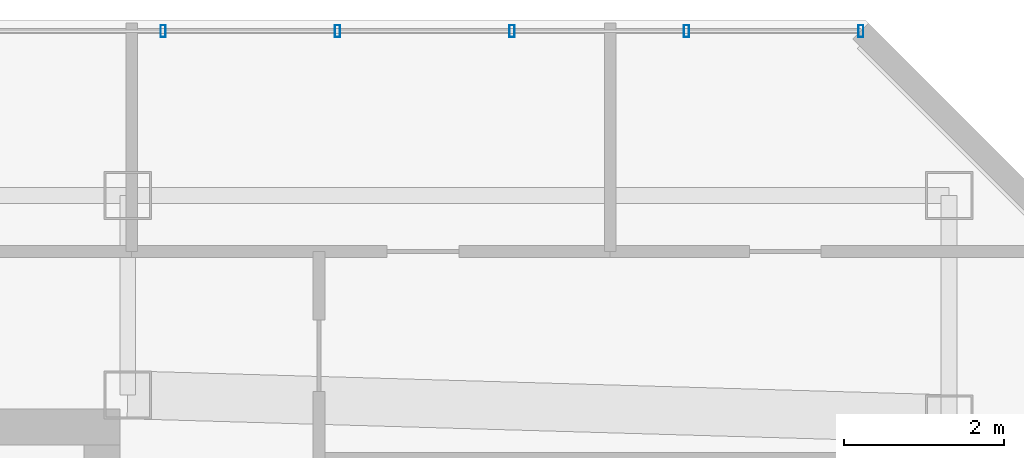
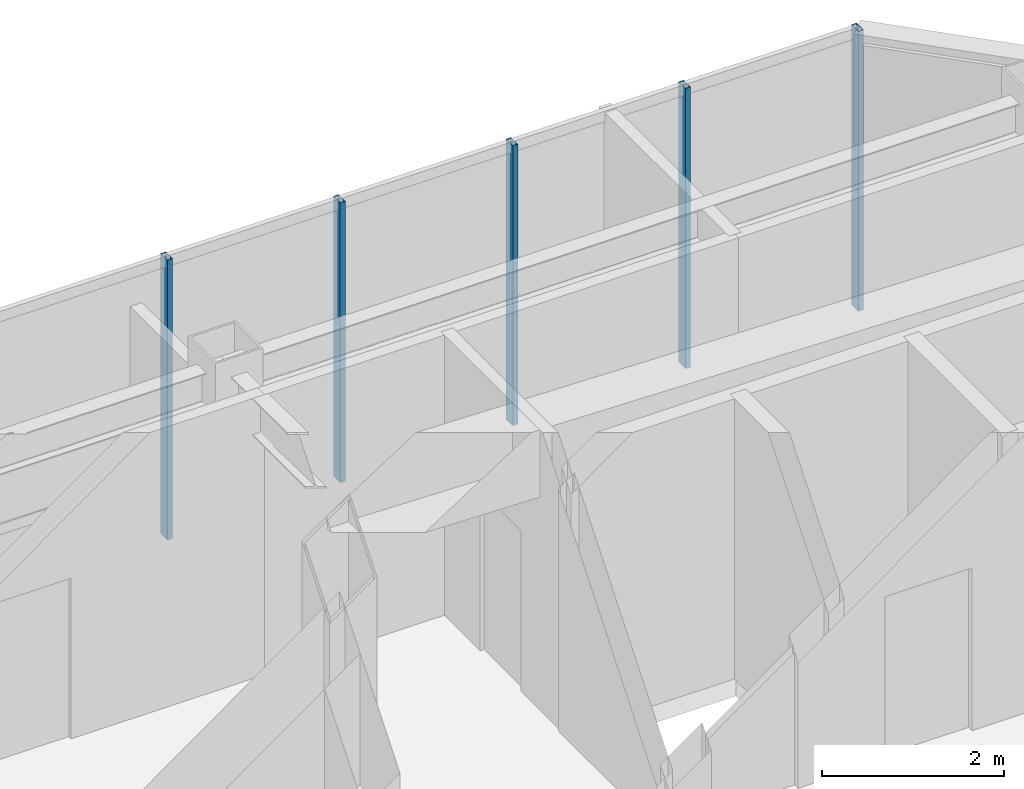
# One storey, part 23 of 30: 5 members, 1 element without a shape of its own.
"""IFC4 building model written with IfcOpenShell, lengths in metres."""

from ifc_helpers import new_model, si_unit, direction, frame, origin, origin_2d, place, context, subcontext, project, spatial, hollow_rectangle, extrude, material, layer, layer_set, material_profile, profile_set, type_object, element, aggregate, save


model = new_model("IFC4")

# Units and contexts
model_context = context("Model", 3, precision=1e-05, world=origin(), true_north=direction((0.0, 1.0)))
body_context = subcontext(model_context, "Body", "Model", "MODEL_VIEW")
ifc_project = project(units=[si_unit("LENGTHUNIT", "METRE"), si_unit("AREAUNIT", "SQUARE_METRE"), si_unit("VOLUMEUNIT", "CUBIC_METRE"), si_unit("PLANEANGLEUNIT", "RADIAN"), si_unit("MASSUNIT", "GRAM", prefix="KILO")], contexts=[model_context])

# Site, building, storey
site_placement = place(None, origin())
site = spatial("IfcSite", under=ifc_project, at=site_placement, CompositionType="ELEMENT")
building_placement = place(site_placement, origin())
building = spatial("IfcBuilding", under=site, at=building_placement, Name="Hatsunagi Terrace Concourse", CompositionType="ELEMENT")
storey_placement = place(building_placement, frame((0.0, 0.0, 273.949951171875)))
storey = spatial("IfcBuildingStorey", under=building, at=storey_placement, Name="L72", CompositionType="ELEMENT", Elevation=273.949951171875)

# Curtain wall, members
ifc_material_1 = material(Name="Anodised Aluminium Alloy 6063-T5", Category="aluminium")
ifc_layer = layer(ifc_material_1, 0.199951171875)
ifc_layer_set = layer_set([ifc_layer], Name="CrownWintergarden_CW06")
curtain_wall_type = type_object("IfcCurtainWallType", Name="CrownWintergarden_CW06", PredefinedType="NOTDEFINED", material=ifc_layer_set)
curtain_wall_placement = place(storey_placement, origin())
curtain_wall = element("IfcCurtainWall", 1, at=curtain_wall_placement, inside=storey, type_object=curtain_wall_type, Name="Unitised Curtain Wall CW-06 CW-L72-09", PredefinedType="NOTDEFINED")
ifc_material_2 = material(Name="Anodised Aluminium Alloy 6063-T5", Category="aluminium")
ifc_material_profile = material_profile(ifc_material_2, hollow_rectangle(XDim=0.06494140625, YDim=0.14990234375, WallThickness=0.00390625, at=origin_2d()), Name="ALU-MUL-150x65x4")
ifc_profile_set = profile_set([ifc_material_profile], Name="Anodised Aluminium Alloy 6063-T5")
member_type = type_object("IfcMemberType", Name="CurtainWallMullion_Crown_150x65", PredefinedType="MULLION", material=ifc_profile_set)
member_1_placement = place(storey_placement, frame((33.7939453125, 47.860107421875, 0.0), z_axis=(0.0, 0.0, 1.0), x_axis=(1.0, 0.0, 0.0)))
member_1 = element("IfcMember", 2, at=member_1_placement, type_object=member_type, Name="Curtain Wall Mullion MUL-03", PredefinedType="MULLION", context=body_context, shape_type="SweptSolid", body=[
    extrude(hollow_rectangle(XDim=0.06494140625, YDim=0.14990234375, WallThickness=0.00390625, at=origin_2d()), origin(), (0.0, 0.0, 1.0), 3.75),
])
member_2_placement = place(storey_placement, frame((35.98095703125, 47.860107421875, 0.0), z_axis=(0.0, 0.0, 1.0), x_axis=(1.0, 0.0, 0.0)))
member_2 = element("IfcMember", 3, at=member_2_placement, type_object=member_type, Name="Curtain Wall Mullion MUL-03", PredefinedType="MULLION", context=body_context, shape_type="SweptSolid", body=[
    extrude(hollow_rectangle(XDim=0.06494140625, YDim=0.14990234375, WallThickness=0.00390625, at=origin_2d()), origin(), (0.0, 0.0, 1.0), 3.75),
])
member_3_placement = place(storey_placement, frame((38.16796875, 47.860107421875, 0.0), z_axis=(0.0, 0.0, 1.0), x_axis=(1.0, 0.0, 0.0)))
member_3 = element("IfcMember", 4, at=member_3_placement, type_object=member_type, Name="Curtain Wall Mullion MUL-03", PredefinedType="MULLION", context=body_context, shape_type="SweptSolid", body=[
    extrude(hollow_rectangle(XDim=0.06494140625, YDim=0.14990234375, WallThickness=0.00390625, at=origin_2d()), origin(), (0.0, 0.0, 1.0), 3.75),
])
member_4_placement = place(storey_placement, frame((40.35498046875, 47.860107421875, 0.0), z_axis=(0.0, 0.0, 1.0), x_axis=(1.0, 0.0, 0.0)))
member_4 = element("IfcMember", 5, at=member_4_placement, type_object=member_type, Name="Curtain Wall Mullion MUL-03", PredefinedType="MULLION", context=body_context, shape_type="SweptSolid", body=[
    extrude(hollow_rectangle(XDim=0.06494140625, YDim=0.14990234375, WallThickness=0.00390625, at=origin_2d()), origin(), (0.0, 0.0, 1.0), 3.75),
])
member_5_placement = place(storey_placement, frame((42.5419921875, 47.860107421875, 0.0), z_axis=(0.0, 0.0, 1.0), x_axis=(1.0, 0.0, 0.0)))
member_5 = element("IfcMember", 6, at=member_5_placement, type_object=member_type, Name="Curtain Wall Mullion MUL-03", PredefinedType="MULLION", context=body_context, shape_type="SweptSolid", body=[
    extrude(hollow_rectangle(XDim=0.06494140625, YDim=0.14990234375, WallThickness=0.00390625, at=origin_2d()), origin(), (0.0, 0.0, 1.0), 3.75),
])
aggregate(curtain_wall, [member_1, member_2, member_3, member_4, member_5])

save(model, "model.ifc")
